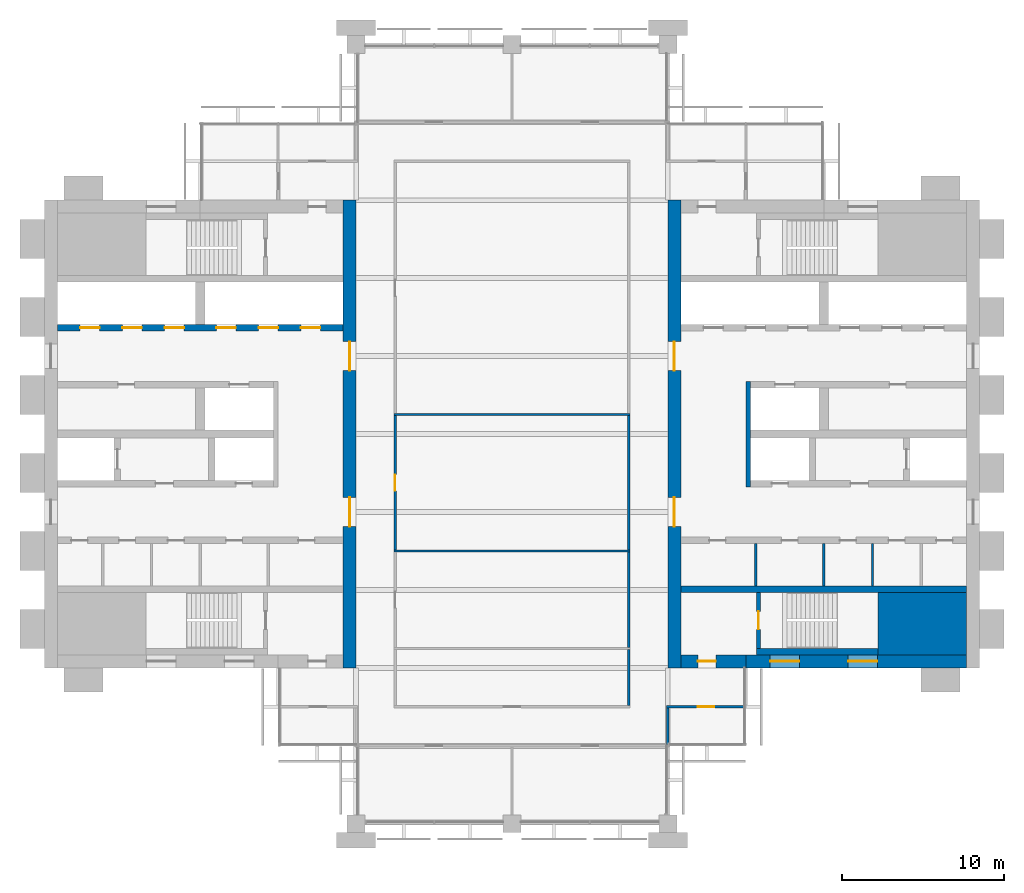
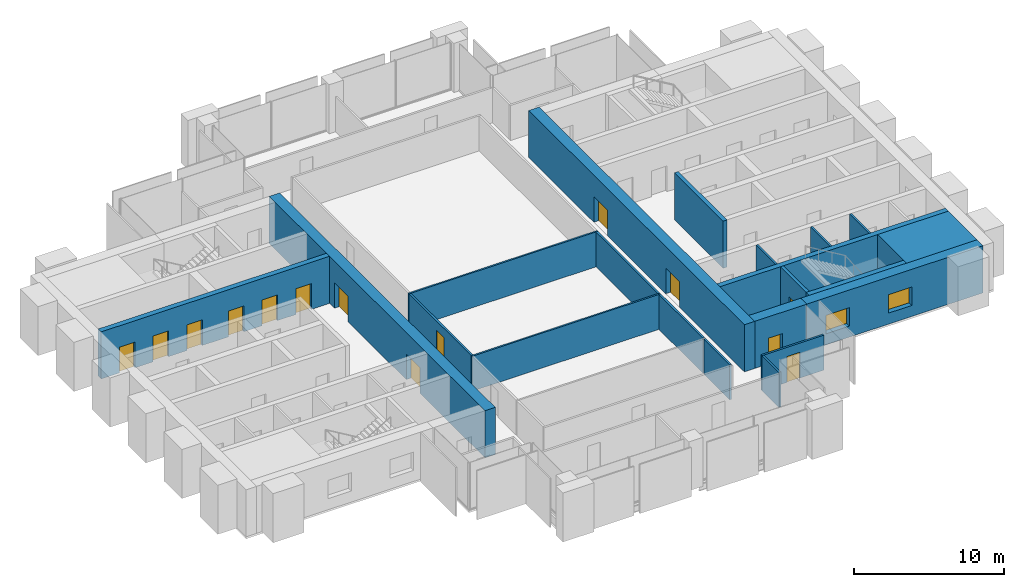
# One storey, part 9 of 13: 21 walls, 14 doors, 2 windows, 16 openings.
"""IFC4 building model written with IfcOpenShell, lengths in metres."""

from ifc_helpers import new_model, si_unit, direction, frame, frame_2d, origin, place, context, subcontext, project, spatial, rectangle, extrude, material, layer, layer_set, type_object, element, fill, save


model = new_model("IFC4")

# Units and contexts
model_context = context("Model", 3, precision=1e-05, world=origin(), true_north=direction((0.0, 1.0)))
body_context = subcontext(model_context, "Body", "Model", "MODEL_VIEW")
ifc_project = project(units=[si_unit("LENGTHUNIT", "METRE"), si_unit("AREAUNIT", "SQUARE_METRE"), si_unit("VOLUMEUNIT", "CUBIC_METRE"), si_unit("PLANEANGLEUNIT", "RADIAN"), si_unit("MASSUNIT", "GRAM", prefix="KILO")], contexts=[model_context])

# Site, building, storey
site_placement = place(None, origin())
site = spatial("IfcSite", under=ifc_project, at=site_placement, CompositionType="ELEMENT")
building_placement = place(site_placement, origin())
building = spatial("IfcBuilding", under=site, at=building_placement, Name="Baori Bourse Tower", CompositionType="ELEMENT")
storey_placement = place(building_placement, frame((0.0, 0.0, 253.199951171875)))
storey = spatial("IfcBuildingStorey", under=building, at=storey_placement, Name="L56", CompositionType="ELEMENT", Elevation=253.199951171875)

# Walls
ifc_material_1 = material(Name="Concrete f'c 50 MPa", Category="concrete")
wall_type_1 = type_object("IfcWallType", Name="Core corner block f'c 50", PredefinedType="SHEAR", material=ifc_material_1)
wall_1_placement = place(storey_placement, frame((51.35009765625, 12.324951171875, 0.0), z_axis=(0.0, 0.0, 1.0), x_axis=(1.0, 0.0, 0.0)))
element("IfcWall", 1, at=wall_1_placement, inside=storey, type_object=wall_type_1, Name="Core wall E05", PredefinedType="SHEAR", context=body_context, shape_type="SweptSolid", body=[
    extrude(rectangle(XDim=5.449951171875, YDim=3.85009765625, at=frame_2d((2.72509765625, 0.0))), origin(), (0.0, 0.0, 1.0), 3.840087890625),
])
ifc_material_2 = material(Name="Blockwork partition", Category="masonry")
ifc_layer_1 = layer(ifc_material_2, 0.14990234375)
ifc_layer_set_1 = layer_set([ifc_layer_1], Name="Core partition 150")
wall_type_2 = type_object("IfcWallType", Name="Core partition 150", PredefinedType="PARTITIONING", material=ifc_layer_set_1)
for number, where, z_axis, x_axis, name in (
    (2, (51.0, 14.64990234375, 0.0), (0.0, 0.0, 1.0), (0.0, 1.0, 0.0), "Partition wall E10"),
    (3, (48.0, 14.64990234375, 0.0), (0.0, 0.0, 1.0), (0.0, 1.0, 0.0), "Partition wall E11"),
    (4, (43.800048828125, 14.64990234375, 0.0), (0.0, 0.0, 1.0), (0.0, 1.0, 0.0), "Partition wall E12"),
):
    element("IfcWall", number, at=place(storey_placement, frame(where, z_axis=z_axis, x_axis=x_axis)), inside=storey, type_object=wall_type_2, Name=name, PredefinedType="PARTITIONING", context=body_context, shape_type="SweptSolid", body=[
        extrude(rectangle(XDim=2.60009765625, YDim=0.14990234375, at=frame_2d((1.300048828125, 0.0))), origin(), (0.0, 0.0, 1.0), 3.840087890625),
    ])

# Wall, openings, doors
ifc_material_3 = material(Name="Concrete f'c 50 MPa", Category="concrete")
ifc_layer_2 = layer(ifc_material_3, 0.800048828125)
ifc_layer_set_2 = layer_set([ifc_layer_2], Name="Core wall 800 f'c 50")
wall_type_3 = type_object("IfcWallType", Name="Core wall 800 f'c 50", PredefinedType="SHEAR", material=ifc_layer_set_2)
wall_2_placement = place(storey_placement, frame((18.800048828125, 38.39990234375, 0.0), z_axis=(0.0, 0.0, 1.0), x_axis=(0.0, -1.0, 0.0)))
wall_2 = element("IfcWall", 5, at=wall_2_placement, inside=storey, type_object=wall_type_3, Name="Core wall W04", PredefinedType="SHEAR", context=body_context, shape_type="SweptSolid", body=[
    extrude(rectangle(XDim=28.7998046875, YDim=0.800048828125, at=frame_2d((14.39990234375, 0.0))), origin(), (0.0, 0.0, 1.0), 3.840087890625),
])
opening_1_placement = place(wall_2_placement, frame((18.300048828125, 0.0, 0.0)))
opening_1 = element("IfcOpeningElement", 6, at=opening_1_placement, cuts=wall_2, Name="Opening L56-D107", PredefinedType="OPENING", context=body_context, shape_type="SweptSolid", body=[
    extrude(rectangle(XDim=1.800048828125, YDim=2.10009765625, at=frame_2d((0.89990234375, 1.050048828125))), frame((0.0, 0.409912109375, 0.0), z_axis=(0.0, -1.0, 0.0), x_axis=(1.0, 0.0, 0.0)), (0.0, 0.0, 1.0), 0.820068359375),
])
opening_2_placement = place(wall_2_placement, frame((8.699951171875, 0.0, 0.0)))
opening_2 = element("IfcOpeningElement", 7, at=opening_2_placement, cuts=wall_2, Name="Opening L56-D108", PredefinedType="OPENING", context=body_context, shape_type="SweptSolid", body=[
    extrude(rectangle(XDim=1.800048828125, YDim=2.10009765625, at=frame_2d((0.89990234375, 1.050048828125))), frame((0.0, 0.409912109375, 0.0), z_axis=(0.0, -1.0, 0.0), x_axis=(1.0, 0.0, 0.0)), (0.0, 0.0, 1.0), 0.820068359375),
])
ifc_material_4 = material(Name="Painted steel door", Category="steel")
door_type_1 = type_object("IfcDoorType", Name="Core lobby door 1800", OperationType="DOUBLE_DOOR_SINGLE_SWING", PredefinedType="DOOR", material=ifc_material_4)
door_1_placement = place(opening_1_placement, origin())
door_1 = element("IfcDoor", 8, at=door_1_placement, inside=storey, type_object=door_type_1, Name="Lobby door W L56", OperationType="DOUBLE_DOOR_SINGLE_SWING", OverallHeight=2.10009765625, OverallWidth=1.800048828125, PredefinedType="DOOR", context=body_context, shape_type="SweptSolid", body=[
    extrude(rectangle(XDim=1.800048828125, YDim=2.10009765625, at=frame_2d((0.89990234375, 1.050048828125))), frame((0.0, 0.02490234375, 0.0), z_axis=(0.0, -1.0, 0.0), x_axis=(1.0, 0.0, 0.0)), (0.0, 0.0, 1.0), 0.050048828125),
])
fill(opening_1, door_1)
door_2_placement = place(opening_2_placement, origin())
door_2 = element("IfcDoor", 9, at=door_2_placement, inside=storey, type_object=door_type_1, Name="Lobby door W L56", OperationType="DOUBLE_DOOR_SINGLE_SWING", OverallHeight=2.10009765625, OverallWidth=1.800048828125, PredefinedType="DOOR", context=body_context, shape_type="SweptSolid", body=[
    extrude(rectangle(XDim=1.800048828125, YDim=2.10009765625, at=frame_2d((0.89990234375, 1.050048828125))), frame((0.0, 0.02490234375, 0.0), z_axis=(0.0, -1.0, 0.0), x_axis=(1.0, 0.0, 0.0)), (0.0, 0.0, 1.0), 0.050048828125),
])
fill(opening_2, door_2)

# Wall, openings, windows
wall_3_placement = place(storey_placement, frame((56.800048828125, 10.0, 0.0), z_axis=(0.0, 0.0, 1.0), x_axis=(-1.0, 0.0, 0.0)))
wall_3 = element("IfcWall", 10, at=wall_3_placement, inside=storey, type_object=wall_type_3, Name="Core wall E02", PredefinedType="SHEAR", context=body_context, shape_type="SweptSolid", body=[
    extrude(rectangle(XDim=13.60009765625, YDim=0.800048828125, at=frame_2d((6.800048828125, 0.0))), origin(), (0.0, 0.0, 1.0), 3.840087890625),
])
opening_3_placement = place(wall_3_placement, frame((5.5, 0.0, 0.89990234375)))
opening_3 = element("IfcOpeningElement", 11, at=opening_3_placement, cuts=wall_3, Name="Opening L56-KW203", PredefinedType="OPENING", context=body_context, shape_type="SweptSolid", body=[
    extrude(rectangle(XDim=1.800048828125, YDim=1.5, at=frame_2d((0.89990234375, 0.75))), frame((0.0, 0.409912109375, 0.0), z_axis=(0.0, -1.0, 0.0), x_axis=(1.0, 0.0, 0.0)), (0.0, 0.0, 1.0), 0.820068359375),
])
opening_4_placement = place(wall_3_placement, frame((10.300048828125, 0.0, 0.89990234375)))
opening_4 = element("IfcOpeningElement", 12, at=opening_4_placement, cuts=wall_3, Name="Opening L56-KW204", PredefinedType="OPENING", context=body_context, shape_type="SweptSolid", body=[
    extrude(rectangle(XDim=1.800048828125, YDim=1.5, at=frame_2d((0.89990234375, 0.75))), frame((0.0, 0.409912109375, 0.0), z_axis=(0.0, -1.0, 0.0), x_axis=(1.0, 0.0, 0.0)), (0.0, 0.0, 1.0), 0.820068359375),
])
ifc_material_5 = material(Name="Pale anodised aluminium", Category="aluminium")
window_type = type_object("IfcWindowType", Name="Stair window 1800 x 1500", PartitioningType="SINGLE_PANEL", PredefinedType="WINDOW", material=ifc_material_5)
window_1_placement = place(opening_3_placement, origin())
window_1 = element("IfcWindow", 13, at=window_1_placement, inside=storey, type_object=window_type, Name="Stair window E L56 3", OverallHeight=1.5, OverallWidth=1.800048828125, PartitioningType="SINGLE_PANEL", PredefinedType="WINDOW", context=body_context, shape_type="SweptSolid", body=[
    extrude(rectangle(XDim=1.800048828125, YDim=1.5, at=frame_2d((0.89990234375, 0.75))), frame((0.0, 0.030029296875, 0.0), z_axis=(0.0, -1.0, 0.0), x_axis=(1.0, 0.0, 0.0)), (0.0, 0.0, 1.0), 0.06005859375),
])
fill(opening_3, window_1)
window_2_placement = place(opening_4_placement, origin())
window_2 = element("IfcWindow", 14, at=window_2_placement, inside=storey, type_object=window_type, Name="Stair window E L56 4", OverallHeight=1.5, OverallWidth=1.800048828125, PartitioningType="SINGLE_PANEL", PredefinedType="WINDOW", context=body_context, shape_type="SweptSolid", body=[
    extrude(rectangle(XDim=1.800048828125, YDim=1.5, at=frame_2d((0.89990234375, 0.75))), frame((0.0, 0.030029296875, 0.0), z_axis=(0.0, -1.0, 0.0), x_axis=(1.0, 0.0, 0.0)), (0.0, 0.0, 1.0), 0.06005859375),
])
fill(opening_4, window_2)

# Wall, opening, door
wall_4_placement = place(storey_placement, frame((43.199951171875, 10.0, 0.0), z_axis=(0.0, 0.0, 1.0), x_axis=(-1.0, 0.0, 0.0)))
wall_4 = element("IfcWall", 15, at=wall_4_placement, inside=storey, type_object=wall_type_3, Name="Core wall E03", PredefinedType="SHEAR", context=body_context, shape_type="SweptSolid", body=[
    extrude(rectangle(XDim=4.0, YDim=0.800048828125, at=frame_2d((2.0, 0.0))), origin(), (0.0, 0.0, 1.0), 3.840087890625),
])
opening_5_placement = place(wall_4_placement, frame((1.85009765625, 0.0, 0.0)))
opening_5 = element("IfcOpeningElement", 16, at=opening_5_placement, cuts=wall_4, Name="Opening L56-D202", PredefinedType="OPENING", context=body_context, shape_type="SweptSolid", body=[
    extrude(rectangle(XDim=1.10009765625, YDim=2.10009765625, at=frame_2d((0.550048828125, 1.050048828125))), frame((0.0, 0.409912109375, 0.0), z_axis=(0.0, -1.0, 0.0), x_axis=(1.0, 0.0, 0.0)), (0.0, 0.0, 1.0), 0.820068359375),
])
ifc_material_6 = material(Name="Painted steel door", Category="steel")
door_type_2 = type_object("IfcDoorType", Name="Stair door 1100", OperationType="SINGLE_SWING_LEFT", PredefinedType="DOOR", material=ifc_material_6)
door_3_placement = place(opening_5_placement, origin())
door_3 = element("IfcDoor", 17, at=door_3_placement, inside=storey, type_object=door_type_2, Name="Stair vestibule door A E L56", OperationType="SINGLE_SWING_LEFT", OverallHeight=2.10009765625, OverallWidth=1.10009765625, PredefinedType="DOOR", context=body_context, shape_type="SweptSolid", body=[
    extrude(rectangle(XDim=1.10009765625, YDim=2.10009765625, at=frame_2d((0.550048828125, 1.050048828125))), frame((0.0, 0.02490234375, 0.0), z_axis=(0.0, -1.0, 0.0), x_axis=(1.0, 0.0, 0.0)), (0.0, 0.0, 1.0), 0.050048828125),
])
fill(opening_5, door_3)

# Wall, openings, doors
wall_5_placement = place(storey_placement, frame((38.800048828125, 9.60009765625, 0.0), z_axis=(0.0, 0.0, 1.0), x_axis=(0.0, 1.0, 0.0)))
wall_5 = element("IfcWall", 18, at=wall_5_placement, inside=storey, type_object=wall_type_3, Name="Core wall E04", PredefinedType="SHEAR", context=body_context, shape_type="SweptSolid", body=[
    extrude(rectangle(XDim=28.7998046875, YDim=0.800048828125, at=frame_2d((14.39990234375, 0.0))), origin(), (0.0, 0.0, 1.0), 3.840087890625),
])
opening_6_placement = place(wall_5_placement, frame((8.699951171875, 0.0, 0.0)))
opening_6 = element("IfcOpeningElement", 19, at=opening_6_placement, cuts=wall_5, Name="Opening L56-D207", PredefinedType="OPENING", context=body_context, shape_type="SweptSolid", body=[
    extrude(rectangle(XDim=1.800048828125, YDim=2.10009765625, at=frame_2d((0.89990234375, 1.050048828125))), frame((0.0, 0.409912109375, 0.0), z_axis=(0.0, -1.0, 0.0), x_axis=(1.0, 0.0, 0.0)), (0.0, 0.0, 1.0), 0.820068359375),
])
opening_7_placement = place(wall_5_placement, frame((18.300048828125, 0.0, 0.0)))
opening_7 = element("IfcOpeningElement", 20, at=opening_7_placement, cuts=wall_5, Name="Opening L56-D208", PredefinedType="OPENING", context=body_context, shape_type="SweptSolid", body=[
    extrude(rectangle(XDim=1.800048828125, YDim=2.10009765625, at=frame_2d((0.89990234375, 1.050048828125))), frame((0.0, 0.409912109375, 0.0), z_axis=(0.0, -1.0, 0.0), x_axis=(1.0, 0.0, 0.0)), (0.0, 0.0, 1.0), 0.820068359375),
])
door_4_placement = place(opening_6_placement, origin())
door_4 = element("IfcDoor", 21, at=door_4_placement, inside=storey, type_object=door_type_1, Name="Lobby door E L56", OperationType="DOUBLE_DOOR_SINGLE_SWING", OverallHeight=2.10009765625, OverallWidth=1.800048828125, PredefinedType="DOOR", context=body_context, shape_type="SweptSolid", body=[
    extrude(rectangle(XDim=1.800048828125, YDim=2.10009765625, at=frame_2d((0.89990234375, 1.050048828125))), frame((0.0, 0.02490234375, 0.0), z_axis=(0.0, -1.0, 0.0), x_axis=(1.0, 0.0, 0.0)), (0.0, 0.0, 1.0), 0.050048828125),
])
fill(opening_6, door_4)
door_5_placement = place(opening_7_placement, origin())
door_5 = element("IfcDoor", 22, at=door_5_placement, inside=storey, type_object=door_type_1, Name="Lobby door E L56", OperationType="DOUBLE_DOOR_SINGLE_SWING", OverallHeight=2.10009765625, OverallWidth=1.800048828125, PredefinedType="DOOR", context=body_context, shape_type="SweptSolid", body=[
    extrude(rectangle(XDim=1.800048828125, YDim=2.10009765625, at=frame_2d((0.89990234375, 1.050048828125))), frame((0.0, 0.02490234375, 0.0), z_axis=(0.0, -1.0, 0.0), x_axis=(1.0, 0.0, 0.0)), (0.0, 0.0, 1.0), 0.050048828125),
])
fill(opening_7, door_5)

# Wall, opening, door
ifc_material_7 = material(Name="Gypsum board partition")
ifc_layer_3 = layer(ifc_material_7, 0.14990234375)
ifc_layer_set_3 = layer_set([ifc_layer_3], Name="Corridor partition 150")
wall_type_4 = type_object("IfcWallType", Name="Corridor partition 150", PredefinedType="PARTITIONING", material=ifc_layer_set_3)
wall_6_placement = place(storey_placement, frame((38.324951171875, 7.199951171875, 0.0), z_axis=(0.0, 0.0, 1.0), x_axis=(1.0, 0.0, 0.0)))
wall_6 = element("IfcWall", 23, at=wall_6_placement, inside=storey, type_object=wall_type_4, Name="Partition", PredefinedType="PARTITIONING", context=body_context, shape_type="SweptSolid", body=[
    extrude(rectangle(XDim=4.775146484375, YDim=0.14990234375, at=frame_2d((2.3876953125, 0.0))), origin(), (0.0, 0.0, 1.0), 2.849365234375),
])
opening_8_placement = place(wall_6_placement, frame((1.925048828125, 0.0, 0.0)))
opening_8 = element("IfcOpeningElement", 24, at=opening_8_placement, cuts=wall_6, Name="Opening L56-D05", PredefinedType="OPENING", context=body_context, shape_type="SweptSolid", body=[
    extrude(rectangle(XDim=1.0, YDim=2.10009765625, at=frame_2d((0.5, 1.050048828125))), frame((0.0, 0.0849609375, 0.0), z_axis=(0.0, -1.0, 0.0), x_axis=(1.0, 0.0, 0.0)), (0.0, 0.0, 1.0), 0.169921875),
])
ifc_material_8 = material(Name="Timber door leaf", Category="wood")
door_type_3 = type_object("IfcDoorType", Name="Door 1000 x 2100", OperationType="SINGLE_SWING_LEFT", PredefinedType="DOOR", material=ifc_material_8)
door_6_placement = place(opening_8_placement, origin())
door_6 = element("IfcDoor", 25, at=door_6_placement, inside=storey, type_object=door_type_3, Name="Door", OperationType="SINGLE_SWING_RIGHT", OverallHeight=2.10009765625, OverallWidth=1.0, PredefinedType="DOOR", context=body_context, shape_type="SweptSolid", body=[
    extrude(rectangle(XDim=1.0, YDim=2.10009765625, at=frame_2d((0.5, 1.050048828125))), frame((0.0, 0.02490234375, 0.0), z_axis=(0.0, -1.0, 0.0), x_axis=(1.0, 0.0, 0.0)), (0.0, 0.0, 1.0), 0.050048828125),
])
fill(opening_8, door_6)

wall_7_placement = place(storey_placement, frame((21.60009765625, 16.862548828125, 0.0), z_axis=(0.0, 0.0, 1.0), x_axis=(0.0, 1.0, 0.0)))
wall_7 = element("IfcWall", 26, at=wall_7_placement, inside=storey, type_object=wall_type_4, Name="Partition", PredefinedType="PARTITIONING", context=body_context, shape_type="SweptSolid", body=[
    extrude(rectangle(XDim=8.27490234375, YDim=0.14990234375, at=frame_2d((4.137451171875, 0.0))), origin(), (0.0, 0.0, 1.0), 2.849365234375),
])
opening_9_placement = place(wall_7_placement, frame((3.637451171875, 0.0, 0.0)))
opening_9 = element("IfcOpeningElement", 27, at=opening_9_placement, cuts=wall_7, Name="Opening L56-D12", PredefinedType="OPENING", context=body_context, shape_type="SweptSolid", body=[
    extrude(rectangle(XDim=1.0, YDim=2.10009765625, at=frame_2d((0.5, 1.050048828125))), frame((0.0, 0.0849609375, 0.0), z_axis=(0.0, -1.0, 0.0), x_axis=(1.0, 0.0, 0.0)), (0.0, 0.0, 1.0), 0.169921875),
])
door_7_placement = place(opening_9_placement, origin())
door_7 = element("IfcDoor", 28, at=door_7_placement, inside=storey, type_object=door_type_3, Name="Door", OperationType="SINGLE_SWING_LEFT", OverallHeight=2.10009765625, OverallWidth=1.0, PredefinedType="DOOR", context=body_context, shape_type="SweptSolid", body=[
    extrude(rectangle(XDim=1.0, YDim=2.10009765625, at=frame_2d((0.5, 1.050048828125))), frame((0.0, 0.02490234375, 0.0), z_axis=(0.0, -1.0, 0.0), x_axis=(1.0, 0.0, 0.0)), (0.0, 0.0, 1.0), 0.050048828125),
])
fill(opening_9, door_7)

# Walls
wall_8_placement = place(storey_placement, frame((36.0, 7.27490234375, 0.0), z_axis=(0.0, 0.0, 1.0), x_axis=(0.0, 1.0, 0.0)))
element("IfcWall", 29, at=wall_8_placement, inside=storey, type_object=wall_type_4, Name="Partition", PredefinedType="PARTITIONING", context=body_context, shape_type="SweptSolid", body=[
    extrude(rectangle(XDim=3.462646484375, YDim=0.14990234375, at=frame_2d((1.7314453125, 0.0))), origin(), (0.0, 0.0, 1.0), 2.849365234375),
])
wall_9_placement = place(storey_placement, frame((36.0, 10.862548828125, 0.0), z_axis=(0.0, 0.0, 1.0), x_axis=(0.0, 1.0, 0.0)))
element("IfcWall", 30, at=wall_9_placement, inside=storey, type_object=wall_type_4, Name="Partition", PredefinedType="PARTITIONING", context=body_context, shape_type="SweptSolid", body=[
    extrude(rectangle(XDim=5.875, YDim=0.14990234375, at=frame_2d((2.9375, 0.0))), origin(), (0.0, 0.0, 1.0), 2.849365234375),
])
wall_10_placement = place(storey_placement, frame((36.0, 16.862548828125, 0.0), z_axis=(0.0, 0.0, 1.0), x_axis=(0.0, 1.0, 0.0)))
element("IfcWall", 31, at=wall_10_placement, inside=storey, type_object=wall_type_4, Name="Partition", PredefinedType="PARTITIONING", context=body_context, shape_type="SweptSolid", body=[
    extrude(rectangle(XDim=8.27490234375, YDim=0.14990234375, at=frame_2d((4.137451171875, 0.0))), origin(), (0.0, 0.0, 1.0), 2.849365234375),
])
wall_11_placement = place(storey_placement, frame((38.39990234375, 4.875, 0.0), z_axis=(0.0, 0.0, 1.0), x_axis=(0.0, 1.0, 0.0)))
element("IfcWall", 32, at=wall_11_placement, inside=storey, type_object=wall_type_4, Name="Partition", PredefinedType="PARTITIONING", context=body_context, shape_type="SweptSolid", body=[
    extrude(rectangle(XDim=2.25, YDim=0.14990234375, at=frame_2d((1.125, 0.0))), origin(), (0.0, 0.0, 1.0), 2.849365234375),
])
ifc_material_9 = material(Name="Gypsum board partition")
ifc_layer_4 = layer(ifc_material_9, 0.125)
ifc_layer_set_4 = layer_set([ifc_layer_4], Name="Partition 125")
wall_type_5 = type_object("IfcWallType", Name="Partition 125", PredefinedType="PARTITIONING", material=ifc_layer_set_4)
for number, where, z_axis, x_axis, name in (
    (33, (21.52490234375, 16.800048828125, 0.0), (0.0, 0.0, 1.0), (1.0, 0.0, 0.0), "Partition"),
    (34, (21.52490234375, 25.199951171875, 0.0), (0.0, 0.0, 1.0), (1.0, 0.0, 0.0), "Partition"),
):
    element("IfcWall", number, at=place(storey_placement, frame(where, z_axis=z_axis, x_axis=x_axis)), inside=storey, type_object=wall_type_5, Name=name, PredefinedType="PARTITIONING", context=body_context, shape_type="SweptSolid", body=[
        extrude(rectangle(XDim=14.550048828125, YDim=0.125, at=frame_2d((7.27490234375, 0.0))), origin(), (0.0, 0.0, 1.0), 2.849365234375),
    ])

# Wall, opening, door
ifc_material_10 = material(Name="Concrete f'c 50 MPa", Category="concrete")
ifc_layer_5 = layer(ifc_material_10, 0.25)
ifc_layer_set_5 = layer_set([ifc_layer_5], Name="Shaft wall 250 f'c 50")
wall_type_6 = type_object("IfcWallType", Name="Shaft wall 250 f'c 50", PredefinedType="SHEAR", material=ifc_layer_set_5)
wall_12_placement = place(storey_placement, frame((43.97509765625, 10.800048828125, 0.0), z_axis=(0.0, 0.0, 1.0), x_axis=(0.0, 1.0, 0.0)))
wall_12 = element("IfcWall", 35, at=wall_12_placement, inside=storey, type_object=wall_type_6, Name="Core wall E07", PredefinedType="SHEAR", context=body_context, shape_type="SweptSolid", body=[
    extrude(rectangle(XDim=3.449951171875, YDim=0.25, at=frame_2d((1.72509765625, 0.0))), origin(), (0.0, 0.0, 1.0), 3.840087890625),
])
opening_10_placement = place(wall_12_placement, frame((1.175048828125, 0.0, 0.0)))
opening_10 = element("IfcOpeningElement", 36, at=opening_10_placement, cuts=wall_12, Name="Opening L56-D201", PredefinedType="OPENING", context=body_context, shape_type="SweptSolid", body=[
    extrude(rectangle(XDim=1.10009765625, YDim=2.10009765625, at=frame_2d((0.550048828125, 1.050048828125))), frame((0.0, 0.135009765625, 0.0), z_axis=(0.0, -1.0, 0.0), x_axis=(1.0, 0.0, 0.0)), (0.0, 0.0, 1.0), 0.27001953125),
])
door_8_placement = place(opening_10_placement, origin())
door_8 = element("IfcDoor", 37, at=door_8_placement, inside=storey, type_object=door_type_2, Name="Stair door A E L56", OperationType="SINGLE_SWING_LEFT", OverallHeight=2.10009765625, OverallWidth=1.10009765625, PredefinedType="DOOR", context=body_context, shape_type="SweptSolid", body=[
    extrude(rectangle(XDim=1.10009765625, YDim=2.10009765625, at=frame_2d((0.550048828125, 1.050048828125))), frame((0.0, 0.02490234375, 0.0), z_axis=(0.0, -1.0, 0.0), x_axis=(1.0, 0.0, 0.0)), (0.0, 0.0, 1.0), 0.050048828125),
])
fill(opening_10, door_8)

# Wall
ifc_material_11 = material(Name="Concrete f'c 50 MPa", Category="concrete")
ifc_layer_6 = layer(ifc_material_11, 0.300048828125)
ifc_layer_set_6 = layer_set([ifc_layer_6], Name="Shaft wall 300 f'c 50")
wall_type_7 = type_object("IfcWallType", Name="Shaft wall 300 f'c 50", PredefinedType="SHEAR", material=ifc_layer_set_6)
wall_13_placement = place(storey_placement, frame((43.35009765625, 20.75, 0.0), z_axis=(0.0, 0.0, 1.0), x_axis=(0.0, 1.0, 0.0)))
element("IfcWall", 38, at=wall_13_placement, inside=storey, type_object=wall_type_7, Name="Core wall E15", PredefinedType="SHEAR", context=body_context, shape_type="SweptSolid", body=[
    extrude(rectangle(XDim=6.5, YDim=0.300048828125, at=frame_2d((3.25, 0.0))), origin(), (0.0, 0.0, 1.0), 3.840087890625),
])

# Wall, openings, doors
ifc_material_12 = material(Name="Concrete f'c 50 MPa", Category="concrete")
ifc_layer_7 = layer(ifc_material_12, 0.39990234375)
ifc_layer_set_7 = layer_set([ifc_layer_7], Name="Shaft wall 400 f'c 50")
wall_type_8 = type_object("IfcWallType", Name="Shaft wall 400 f'c 50", PredefinedType="SHEAR", material=ifc_layer_set_7)
wall_14_placement = place(storey_placement, frame((0.800048828125, 30.550048828125, 0.0), z_axis=(0.0, 0.0, 1.0), x_axis=(1.0, 0.0, 0.0)))
wall_14 = element("IfcWall", 39, at=wall_14_placement, inside=storey, type_object=wall_type_8, Name="Core wall W21", PredefinedType="SHEAR", context=body_context, shape_type="SweptSolid", body=[
    extrude(rectangle(XDim=17.599853515625, YDim=0.39990234375, at=frame_2d((8.7998046875, 0.0))), origin(), (0.0, 0.0, 1.0), 3.840087890625),
])
opening_11_placement = place(wall_14_placement, frame((1.39990234375, 0.0, 0.0)))
opening_11 = element("IfcOpeningElement", 40, at=opening_11_placement, cuts=wall_14, Name="Opening L56-D115", PredefinedType="OPENING", context=body_context, shape_type="SweptSolid", body=[
    extrude(rectangle(XDim=1.199951171875, YDim=2.10009765625, at=frame_2d((0.60009765625, 1.050048828125))), frame((0.0, 0.2099609375, 0.0), z_axis=(0.0, -1.0, 0.0), x_axis=(1.0, 0.0, 0.0)), (0.0, 0.0, 1.0), 0.419921875),
])
opening_12_placement = place(wall_14_placement, frame((4.0, 0.0, 0.0)))
opening_12 = element("IfcOpeningElement", 41, at=opening_12_placement, cuts=wall_14, Name="Opening L56-D116", PredefinedType="OPENING", context=body_context, shape_type="SweptSolid", body=[
    extrude(rectangle(XDim=1.199951171875, YDim=2.10009765625, at=frame_2d((0.60009765625, 1.050048828125))), frame((0.0, 0.2099609375, 0.0), z_axis=(0.0, -1.0, 0.0), x_axis=(1.0, 0.0, 0.0)), (0.0, 0.0, 1.0), 0.419921875),
])
opening_13_placement = place(wall_14_placement, frame((6.60009765625, 0.0, 0.0)))
opening_13 = element("IfcOpeningElement", 42, at=opening_13_placement, cuts=wall_14, Name="Opening L56-D117", PredefinedType="OPENING", context=body_context, shape_type="SweptSolid", body=[
    extrude(rectangle(XDim=1.199951171875, YDim=2.10009765625, at=frame_2d((0.60009765625, 1.050048828125))), frame((0.0, 0.2099609375, 0.0), z_axis=(0.0, -1.0, 0.0), x_axis=(1.0, 0.0, 0.0)), (0.0, 0.0, 1.0), 0.419921875),
])
opening_14_placement = place(wall_14_placement, frame((9.800048828125, 0.0, 0.0)))
opening_14 = element("IfcOpeningElement", 43, at=opening_14_placement, cuts=wall_14, Name="Opening L56-D118", PredefinedType="OPENING", context=body_context, shape_type="SweptSolid", body=[
    extrude(rectangle(XDim=1.199951171875, YDim=2.10009765625, at=frame_2d((0.60009765625, 1.050048828125))), frame((0.0, 0.2099609375, 0.0), z_axis=(0.0, -1.0, 0.0), x_axis=(1.0, 0.0, 0.0)), (0.0, 0.0, 1.0), 0.419921875),
])
opening_15_placement = place(wall_14_placement, frame((12.39990234375, 0.0, 0.0)))
opening_15 = element("IfcOpeningElement", 44, at=opening_15_placement, cuts=wall_14, Name="Opening L56-D119", PredefinedType="OPENING", context=body_context, shape_type="SweptSolid", body=[
    extrude(rectangle(XDim=1.199951171875, YDim=2.10009765625, at=frame_2d((0.60009765625, 1.050048828125))), frame((0.0, 0.2099609375, 0.0), z_axis=(0.0, -1.0, 0.0), x_axis=(1.0, 0.0, 0.0)), (0.0, 0.0, 1.0), 0.419921875),
])
opening_16_placement = place(wall_14_placement, frame((15.0, 0.0, 0.0)))
opening_16 = element("IfcOpeningElement", 45, at=opening_16_placement, cuts=wall_14, Name="Opening L56-D120", PredefinedType="OPENING", context=body_context, shape_type="SweptSolid", body=[
    extrude(rectangle(XDim=1.199951171875, YDim=2.10009765625, at=frame_2d((0.60009765625, 1.050048828125))), frame((0.0, 0.2099609375, 0.0), z_axis=(0.0, -1.0, 0.0), x_axis=(1.0, 0.0, 0.0)), (0.0, 0.0, 1.0), 0.419921875),
])
ifc_material_13 = material(Name="Stainless steel door", Category="steel")
door_type_4 = type_object("IfcDoorType", Name="Lift landing door", OperationType="DOUBLE_DOOR_SLIDING", PredefinedType="DOOR", material=ifc_material_13)
door_9_placement = place(opening_11_placement, origin())
door_9 = element("IfcDoor", 46, at=door_9_placement, inside=storey, type_object=door_type_4, Name="Lift landing door HR1 W L56", OperationType="DOUBLE_DOOR_SLIDING", OverallHeight=2.10009765625, OverallWidth=1.199951171875, PredefinedType="DOOR", context=body_context, shape_type="SweptSolid", body=[
    extrude(rectangle(XDim=1.199951171875, YDim=2.10009765625, at=frame_2d((0.60009765625, 1.050048828125))), frame((0.0, 0.02490234375, 0.0), z_axis=(0.0, -1.0, 0.0), x_axis=(1.0, 0.0, 0.0)), (0.0, 0.0, 1.0), 0.050048828125),
])
fill(opening_11, door_9)
door_10_placement = place(opening_12_placement, origin())
door_10 = element("IfcDoor", 47, at=door_10_placement, inside=storey, type_object=door_type_4, Name="Lift landing door HR2 W L56", OperationType="DOUBLE_DOOR_SLIDING", OverallHeight=2.10009765625, OverallWidth=1.199951171875, PredefinedType="DOOR", context=body_context, shape_type="SweptSolid", body=[
    extrude(rectangle(XDim=1.199951171875, YDim=2.10009765625, at=frame_2d((0.60009765625, 1.050048828125))), frame((0.0, 0.02490234375, 0.0), z_axis=(0.0, -1.0, 0.0), x_axis=(1.0, 0.0, 0.0)), (0.0, 0.0, 1.0), 0.050048828125),
])
fill(opening_12, door_10)
door_11_placement = place(opening_13_placement, origin())
door_11 = element("IfcDoor", 48, at=door_11_placement, inside=storey, type_object=door_type_4, Name="Lift landing door HR3 W L56", OperationType="DOUBLE_DOOR_SLIDING", OverallHeight=2.10009765625, OverallWidth=1.199951171875, PredefinedType="DOOR", context=body_context, shape_type="SweptSolid", body=[
    extrude(rectangle(XDim=1.199951171875, YDim=2.10009765625, at=frame_2d((0.60009765625, 1.050048828125))), frame((0.0, 0.02490234375, 0.0), z_axis=(0.0, -1.0, 0.0), x_axis=(1.0, 0.0, 0.0)), (0.0, 0.0, 1.0), 0.050048828125),
])
fill(opening_13, door_11)
door_12_placement = place(opening_14_placement, origin())
door_12 = element("IfcDoor", 49, at=door_12_placement, inside=storey, type_object=door_type_4, Name="Lift landing door HR4 W L56", OperationType="DOUBLE_DOOR_SLIDING", OverallHeight=2.10009765625, OverallWidth=1.199951171875, PredefinedType="DOOR", context=body_context, shape_type="SweptSolid", body=[
    extrude(rectangle(XDim=1.199951171875, YDim=2.10009765625, at=frame_2d((0.60009765625, 1.050048828125))), frame((0.0, 0.02490234375, 0.0), z_axis=(0.0, -1.0, 0.0), x_axis=(1.0, 0.0, 0.0)), (0.0, 0.0, 1.0), 0.050048828125),
])
fill(opening_14, door_12)
door_13_placement = place(opening_15_placement, origin())
door_13 = element("IfcDoor", 50, at=door_13_placement, inside=storey, type_object=door_type_4, Name="Lift landing door HR5 W L56", OperationType="DOUBLE_DOOR_SLIDING", OverallHeight=2.10009765625, OverallWidth=1.199951171875, PredefinedType="DOOR", context=body_context, shape_type="SweptSolid", body=[
    extrude(rectangle(XDim=1.199951171875, YDim=2.10009765625, at=frame_2d((0.60009765625, 1.050048828125))), frame((0.0, 0.02490234375, 0.0), z_axis=(0.0, -1.0, 0.0), x_axis=(1.0, 0.0, 0.0)), (0.0, 0.0, 1.0), 0.050048828125),
])
fill(opening_15, door_13)
door_14_placement = place(opening_16_placement, origin())
door_14 = element("IfcDoor", 51, at=door_14_placement, inside=storey, type_object=door_type_4, Name="Lift landing door HR6 W L56", OperationType="DOUBLE_DOOR_SLIDING", OverallHeight=2.10009765625, OverallWidth=1.199951171875, PredefinedType="DOOR", context=body_context, shape_type="SweptSolid", body=[
    extrude(rectangle(XDim=1.199951171875, YDim=2.10009765625, at=frame_2d((0.60009765625, 1.050048828125))), frame((0.0, 0.02490234375, 0.0), z_axis=(0.0, -1.0, 0.0), x_axis=(1.0, 0.0, 0.0)), (0.0, 0.0, 1.0), 0.050048828125),
])
fill(opening_16, door_14)

# Walls
wall_15_placement = place(storey_placement, frame((43.85009765625, 10.60009765625, 0.0), z_axis=(0.0, 0.0, 1.0), x_axis=(1.0, 0.0, 0.0)))
element("IfcWall", 52, at=wall_15_placement, inside=storey, type_object=wall_type_8, Name="Core wall E06", PredefinedType="SHEAR", context=body_context, shape_type="SweptSolid", body=[
    extrude(rectangle(XDim=7.5, YDim=0.39990234375, at=frame_2d((3.75, 0.0))), origin(), (0.0, 0.0, 1.0), 3.840087890625),
])
wall_16_placement = place(storey_placement, frame((39.199951171875, 14.449951171875, 0.0), z_axis=(0.0, 0.0, 1.0), x_axis=(1.0, 0.0, 0.0)))
element("IfcWall", 53, at=wall_16_placement, inside=storey, type_object=wall_type_8, Name="Core wall E08", PredefinedType="SHEAR", context=body_context, shape_type="SweptSolid", body=[
    extrude(rectangle(XDim=17.60009765625, YDim=0.39990234375, at=frame_2d((8.800048828125, 0.0))), origin(), (0.0, 0.0, 1.0), 3.840087890625),
])

save(model, "model.ifc")
